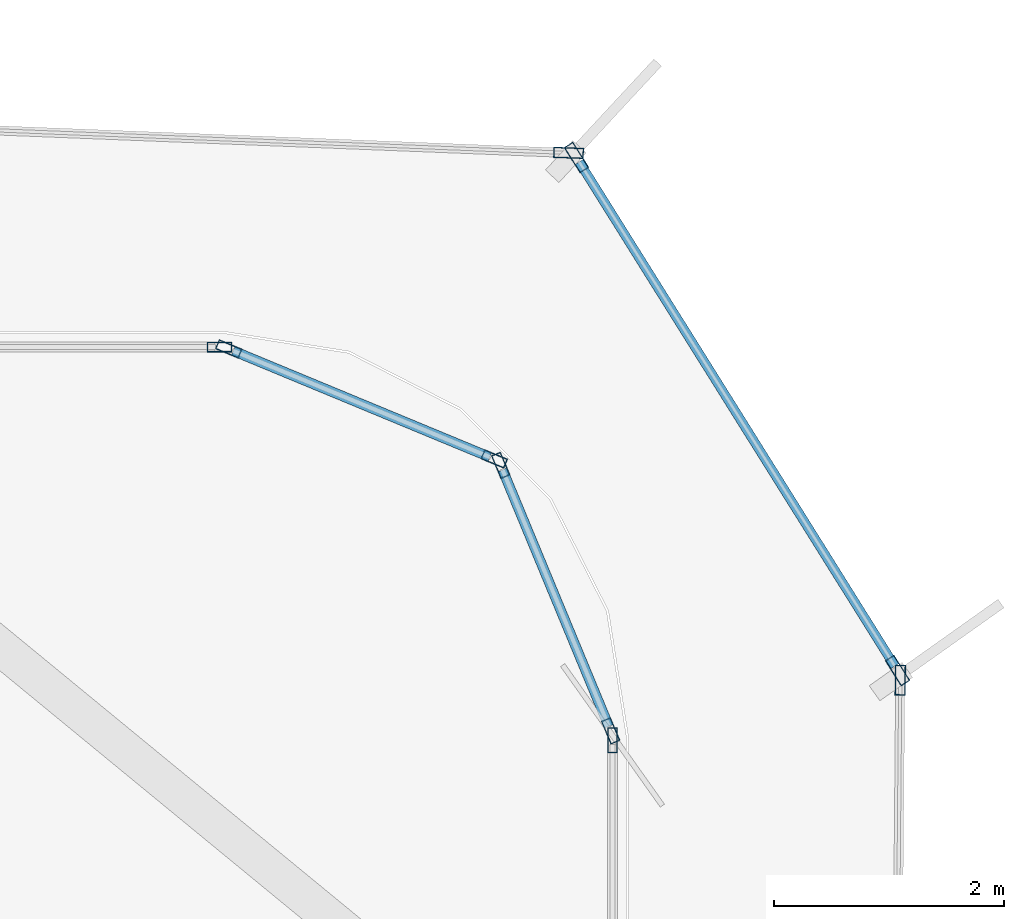
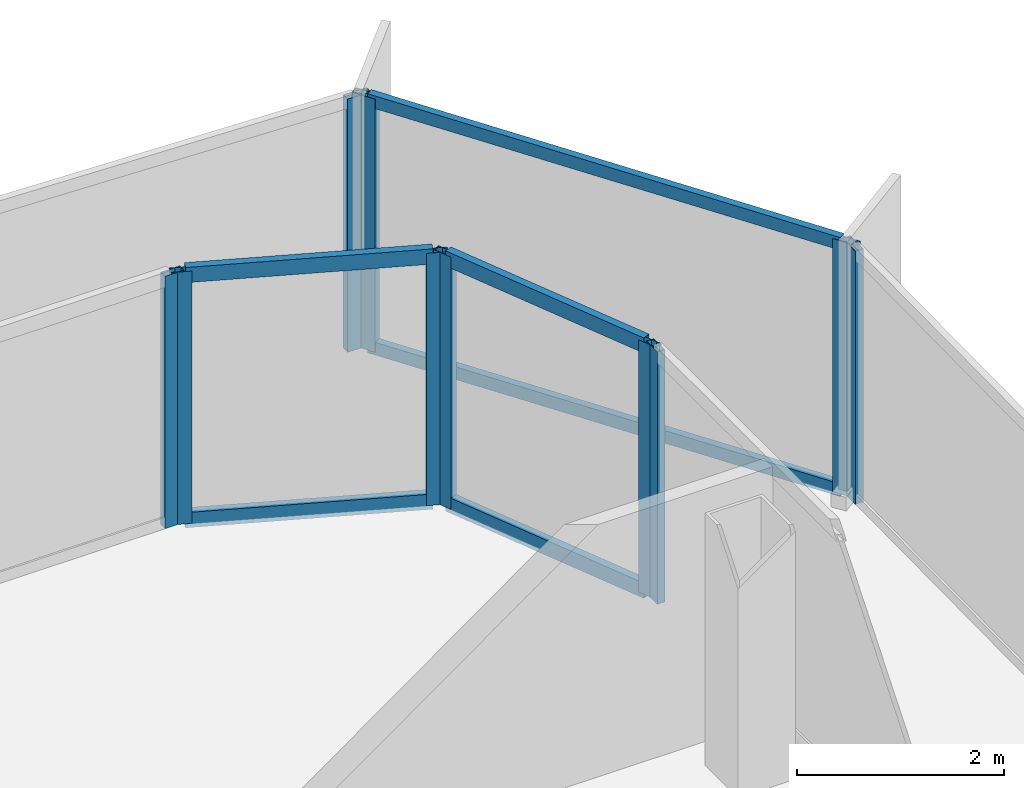
# One storey, part 8 of 15: 16 members, 7 elements without a shape of their own.
"""IFC4 building model written with IfcOpenShell, lengths in metres."""

from ifc_helpers import new_model, si_unit, direction, frame, origin, origin_2d, place, context, subcontext, project, spatial, hollow_rectangle, extrude, source, transform, mapped, material, layer, layer_set, material_profile, profile_set, type_object, element, aggregate, save


model = new_model("IFC4")

# Units and contexts
model_context = context("Model", 3, precision=1e-05, world=origin(), true_north=direction((0.0, 1.0)))
body_context = subcontext(model_context, "Body", "Model", "MODEL_VIEW")
ifc_project = project(units=[si_unit("LENGTHUNIT", "METRE"), si_unit("AREAUNIT", "SQUARE_METRE"), si_unit("VOLUMEUNIT", "CUBIC_METRE"), si_unit("PLANEANGLEUNIT", "RADIAN"), si_unit("MASSUNIT", "GRAM", prefix="KILO")], contexts=[model_context])

# Site, building, storey
site_placement = place(None, origin())
site = spatial("IfcSite", under=ifc_project, at=site_placement, CompositionType="ELEMENT")
building_placement = place(site_placement, origin())
building = spatial("IfcBuilding", under=site, at=building_placement, Name="Kolveth Station Tower", CompositionType="ELEMENT")
storey_placement = place(building_placement, frame((0.0, 0.0, 261.699951171875)))
storey = spatial("IfcBuildingStorey", under=building, at=storey_placement, Name="L75", CompositionType="ELEMENT", Elevation=261.699951171875)

# Curtain wall, member
ifc_material_1 = material(Name="Black anodized aluminium 6063-T6 and dark solar glass", Category="aluminium")
ifc_layer_1 = layer(ifc_material_1, 0.159912109375)
ifc_layer_set_1 = layer_set([ifc_layer_1], Name="Black anodized aluminium 6063-T6 and dark solar glass")
curtain_wall_type_1 = type_object("IfcCurtainWallType", Name="OUTER SKIN CW-OS", PredefinedType="NOTDEFINED", material=ifc_layer_set_1)
curtain_wall_1_placement = place(storey_placement, origin())
curtain_wall_1 = element("IfcCurtainWall", 1, at=curtain_wall_1_placement, inside=storey, type_object=curtain_wall_type_1, Name="L75 Outer Ventilated Skin Curtain Wall 2", PredefinedType="NOTDEFINED")
ifc_material_2 = material(Name="Black anodized aluminium 6063-T6", Category="aluminium")
ifc_material_profile_1 = material_profile(ifc_material_2, hollow_rectangle(XDim=0.090087890625, YDim=0.260009765625, WallThickness=0.0048828125, at=origin_2d()), Name="ALU-90x260x5")
ifc_profile_set_1 = profile_set([ifc_material_profile_1], Name="Black anodized aluminium 6063-T6")
member_type_1 = type_object("IfcMemberType", Name="FIN MULLION ML-OS", PredefinedType="MULLION", material=ifc_profile_set_1)
shared_shape_1 = source(origin(), body_context, "Body", "SweptSolid", [
    extrude(hollow_rectangle(XDim=0.090087890625, YDim=0.260009765625, WallThickness=0.0048828125, at=origin_2d()), origin(), (0.0, 0.0, 1.0), 2.989990234375),
])
member_1_placement = place(storey_placement, frame((44.184814453125, 32.281005859375, 0.0), z_axis=(0.0, 0.0, 1.0), x_axis=(-0.999961467329, 0.008778602226, 0.0)))
member_1 = element("IfcMember", 2, at=member_1_placement, type_object=member_type_1, Name="CW-OS mullion 2", PredefinedType="MULLION", context=body_context, shape_type="MappedRepresentation", body=[
    mapped(shared_shape_1, transform((0.0, 0.0, 0.0), x_axis=(1.0, 0.0, 0.0), y_axis=(0.0, 1.0, 0.0), z_axis=(0.0, 0.0, 1.0), scale=1.0)),
])
aggregate(curtain_wall_1, [member_1])

# Curtain wall, members
curtain_wall_2_placement = place(storey_placement, origin())
curtain_wall_2 = element("IfcCurtainWall", 3, at=curtain_wall_2_placement, inside=storey, type_object=curtain_wall_type_1, Name="L75 Outer Ventilated Skin Curtain Wall 3", PredefinedType="NOTDEFINED")
member_2_placement = place(storey_placement, frame((44.161376953125, 32.3642578125, 0.0), z_axis=(0.0, 0.0, 1.0), x_axis=(-0.847670018172, -0.530523835745, 0.0)))
member_2 = element("IfcMember", 4, at=member_2_placement, type_object=member_type_1, Name="CW-OS mullion 1", PredefinedType="MULLION", context=body_context, shape_type="MappedRepresentation", body=[
    mapped(shared_shape_1, transform((0.0, 0.0, 0.0), x_axis=(1.0, 0.0, 0.0), y_axis=(0.0, 1.0, 0.0), z_axis=(0.0, 0.0, 1.0), scale=1.0)),
])
member_3_placement = place(storey_placement, frame((41.365966796875, 36.83056640625, 0.0), z_axis=(0.0, 0.0, 1.0), x_axis=(-0.847670018172, -0.530523835745, 0.0)))
member_3 = element("IfcMember", 5, at=member_3_placement, type_object=member_type_1, Name="CW-OS mullion 2", PredefinedType="MULLION", context=body_context, shape_type="MappedRepresentation", body=[
    mapped(shared_shape_1, transform((0.0, 0.0, 0.0), x_axis=(1.0, 0.0, 0.0), y_axis=(0.0, 1.0, 0.0), z_axis=(0.0, 0.0, 1.0), scale=1.0)),
])

# Curtain wall, member
curtain_wall_3_placement = place(storey_placement, origin())
curtain_wall_3 = element("IfcCurtainWall", 6, at=curtain_wall_3_placement, inside=storey, type_object=curtain_wall_type_1, Name="L75 Outer Ventilated Skin Curtain Wall 4", PredefinedType="NOTDEFINED")
member_4_placement = place(storey_placement, frame((41.297119140625, 36.87060546875, 0.0), z_axis=(0.0, 0.0, 1.0), x_axis=(-0.039408178109, -0.999223196037, 0.0)))
member_4 = element("IfcMember", 7, at=member_4_placement, type_object=member_type_1, Name="CW-OS mullion 1", PredefinedType="MULLION", context=body_context, shape_type="MappedRepresentation", body=[
    mapped(shared_shape_1, transform((0.0, 0.0, 0.0), x_axis=(1.0, 0.0, 0.0), y_axis=(0.0, 1.0, 0.0), z_axis=(0.0, 0.0, 1.0), scale=1.0)),
])
aggregate(curtain_wall_3, [member_4])

ifc_material_3 = material(Name="Aluminium 6063-T6 and triple low-E dark glass", Category="aluminium")
ifc_layer_2 = layer(ifc_material_3, 0.199951171875)
ifc_layer_set_2 = layer_set([ifc_layer_2], Name="Aluminium 6063-T6 and triple low-E dark glass")
curtain_wall_type_2 = type_object("IfcCurtainWallType", Name="CurtainWall_CW-Z3", PredefinedType="NOTDEFINED", material=ifc_layer_set_2)
curtain_wall_4_placement = place(storey_placement, origin())
curtain_wall_4 = element("IfcCurtainWall", 8, at=curtain_wall_4_placement, inside=storey, type_object=curtain_wall_type_2, Name="L75 Inner Thermal Curtain Wall 3", PredefinedType="NOTDEFINED")
ifc_material_profile_2 = material_profile(ifc_material_2, hollow_rectangle(XDim=0.0849609375, YDim=0.215087890625, WallThickness=0.0048828125, at=origin_2d()), Name="ALU-85x215x5")
ifc_profile_set_2 = profile_set([ifc_material_profile_2], Name="Black anodized aluminium 6063-T6")
member_type_2 = type_object("IfcMemberType", Name="Mullion_ML3", PredefinedType="MULLION", material=ifc_profile_set_2)
shared_shape_2 = source(origin(), body_context, "Body", "SweptSolid", [
    extrude(hollow_rectangle(XDim=0.0849609375, YDim=0.215087890625, WallThickness=0.0048828125, at=origin_2d()), origin(), (0.0, 0.0, 1.0), 2.97998046875),
])
member_5_placement = place(storey_placement, frame((41.679931640625, 31.757568359375, 0.0), z_axis=(0.0, 0.0, 1.0), x_axis=(-1.0, 0.0, 0.0)))
member_5 = element("IfcMember", 9, at=member_5_placement, type_object=member_type_2, Name="CW-Z3 mullion 2", PredefinedType="MULLION", context=body_context, shape_type="MappedRepresentation", body=[
    mapped(shared_shape_2, transform((0.0, 0.0, 0.0), x_axis=(1.0, 0.0, 0.0), y_axis=(0.0, 1.0, 0.0), z_axis=(0.0, 0.0, 1.0), scale=1.0)),
])
aggregate(curtain_wall_4, [member_5])

# Curtain wall, members
curtain_wall_5_placement = place(storey_placement, origin())
curtain_wall_5 = element("IfcCurtainWall", 10, at=curtain_wall_5_placement, inside=storey, type_object=curtain_wall_type_2, Name="L75 Inner Thermal Curtain Wall 4", PredefinedType="NOTDEFINED")
member_6_placement = place(storey_placement, frame((41.663818359375, 31.83935546875, 0.0), z_axis=(0.0, 0.0, 1.0), x_axis=(-0.923875488975, -0.382693194181, 0.0)))
member_6 = element("IfcMember", 11, at=member_6_placement, type_object=member_type_2, Name="CW-Z3 mullion 1", PredefinedType="MULLION", context=body_context, shape_type="MappedRepresentation", body=[
    mapped(shared_shape_2, transform((0.0, 0.0, 0.0), x_axis=(1.0, 0.0, 0.0), y_axis=(0.0, 1.0, 0.0), z_axis=(0.0, 0.0, 1.0), scale=1.0)),
])
member_7_placement = place(storey_placement, frame((40.706298828125, 34.150634765625, 0.0), z_axis=(0.0, 0.0, 1.0), x_axis=(-0.923875488975, -0.382693194181, 0.0)))
member_7 = element("IfcMember", 12, at=member_7_placement, type_object=member_type_2, Name="CW-Z3 mullion 2", PredefinedType="MULLION", context=body_context, shape_type="MappedRepresentation", body=[
    mapped(shared_shape_2, transform((0.0, 0.0, 0.0), x_axis=(1.0, 0.0, 0.0), y_axis=(0.0, 1.0, 0.0), z_axis=(0.0, 0.0, 1.0), scale=1.0)),
])

curtain_wall_6_placement = place(storey_placement, origin())
curtain_wall_6 = element("IfcCurtainWall", 13, at=curtain_wall_6_placement, inside=storey, type_object=curtain_wall_type_2, Name="L75 Inner Thermal Curtain Wall 5", PredefinedType="NOTDEFINED")
member_8_placement = place(storey_placement, frame((40.650634765625, 34.206298828125, 0.0), z_axis=(0.0, 0.0, 1.0), x_axis=(-0.382693194181, -0.923875488975, 0.0)))
member_8 = element("IfcMember", 14, at=member_8_placement, type_object=member_type_2, Name="CW-Z3 mullion 1", PredefinedType="MULLION", context=body_context, shape_type="MappedRepresentation", body=[
    mapped(shared_shape_2, transform((0.0, 0.0, 0.0), x_axis=(1.0, 0.0, 0.0), y_axis=(0.0, 1.0, 0.0), z_axis=(0.0, 0.0, 1.0), scale=1.0)),
])
member_9_placement = place(storey_placement, frame((38.33935546875, 35.163818359375, 0.0), z_axis=(0.0, 0.0, 1.0), x_axis=(-0.382693194181, -0.923875488975, 0.0)))
member_9 = element("IfcMember", 15, at=member_9_placement, type_object=member_type_2, Name="CW-Z3 mullion 2", PredefinedType="MULLION", context=body_context, shape_type="MappedRepresentation", body=[
    mapped(shared_shape_2, transform((0.0, 0.0, 0.0), x_axis=(1.0, 0.0, 0.0), y_axis=(0.0, 1.0, 0.0), z_axis=(0.0, 0.0, 1.0), scale=1.0)),
])

# Curtain wall, member
curtain_wall_7_placement = place(storey_placement, origin())
curtain_wall_7 = element("IfcCurtainWall", 16, at=curtain_wall_7_placement, inside=storey, type_object=curtain_wall_type_2, Name="L75 Inner Thermal Curtain Wall 6", PredefinedType="NOTDEFINED")
member_10_placement = place(storey_placement, frame((38.257568359375, 35.179931640625, 0.0), z_axis=(0.0, 0.0, 1.0), x_axis=(0.0, -1.0, 0.0)))
member_10 = element("IfcMember", 17, at=member_10_placement, type_object=member_type_2, Name="CW-Z3 mullion 1", PredefinedType="MULLION", context=body_context, shape_type="MappedRepresentation", body=[
    mapped(shared_shape_2, transform((0.0, 0.0, 0.0), x_axis=(1.0, 0.0, 0.0), y_axis=(0.0, 1.0, 0.0), z_axis=(0.0, 0.0, 1.0), scale=1.0)),
])
aggregate(curtain_wall_7, [member_10])

# Member
ifc_material_profile_3 = material_profile(ifc_material_2, hollow_rectangle(XDim=0.0849609375, YDim=0.179931640625, WallThickness=0.0048828125, at=origin_2d()), Name="ALU-85x180x5")
ifc_profile_set_3 = profile_set([ifc_material_profile_3], Name="Black anodized aluminium 6063-T6")
member_type_3 = type_object("IfcMemberType", Name="Transom_TR3", PredefinedType="USERDEFINED", material=ifc_profile_set_3)
shared_shape_3 = source(origin(), body_context, "Body", "SweptSolid", [
    extrude(hollow_rectangle(XDim=0.0849609375, YDim=0.179931640625, WallThickness=0.0048828125, at=origin_2d()), origin(), (0.0, 0.0, 1.0), 2.417236328125),
])
member_11_placement = place(storey_placement, frame((41.6474609375, 31.87841796875, 0.04248046875), z_axis=(-0.382699687013, 0.923872799448, 0.0), x_axis=(-0.923872799448, -0.382699687013, 0.0)))
member_11 = element("IfcMember", 18, at=member_11_placement, type_object=member_type_3, Name="CW-Z3 transom 1.1", ObjectType="TRANSOM", PredefinedType="USERDEFINED", context=body_context, shape_type="MappedRepresentation", body=[
    mapped(shared_shape_3, transform((0.0, 0.0, 0.0), x_axis=(1.0, 0.0, 0.0), y_axis=(0.0, 1.0, 0.0), z_axis=(0.0, 0.0, 1.0), scale=1.0)),
])

member_12_placement = place(storey_placement, frame((41.6474609375, 31.87841796875, 2.9375), z_axis=(-0.382699687013, 0.923872799448, 0.0), x_axis=(-0.923872799448, -0.382699687013, 0.0)))
member_12 = element("IfcMember", 19, at=member_12_placement, type_object=member_type_3, Name="CW-Z3 transom 1.2", ObjectType="TRANSOM", PredefinedType="USERDEFINED", context=body_context, shape_type="MappedRepresentation", body=[
    mapped(shared_shape_3, transform((0.0, 0.0, 0.0), x_axis=(1.0, 0.0, 0.0), y_axis=(0.0, 1.0, 0.0), z_axis=(0.0, 0.0, 1.0), scale=1.0)),
])

aggregate(curtain_wall_5, [member_6, member_7, member_11, member_12])

member_13_placement = place(storey_placement, frame((40.611572265625, 34.222412109375, 0.04248046875), z_axis=(-0.923872799448, 0.382699687013, 0.0), x_axis=(-0.382699687013, -0.923872799448, 0.0)))
member_13 = element("IfcMember", 20, at=member_13_placement, type_object=member_type_3, Name="CW-Z3 transom 1.1", ObjectType="TRANSOM", PredefinedType="USERDEFINED", context=body_context, shape_type="MappedRepresentation", body=[
    mapped(shared_shape_3, transform((0.0, 0.0, 0.0), x_axis=(1.0, 0.0, 0.0), y_axis=(0.0, 1.0, 0.0), z_axis=(0.0, 0.0, 1.0), scale=1.0)),
])

member_14_placement = place(storey_placement, frame((40.611572265625, 34.222412109375, 2.9375), z_axis=(-0.923872799448, 0.382699687013, 0.0), x_axis=(-0.382699687013, -0.923872799448, 0.0)))
member_14 = element("IfcMember", 21, at=member_14_placement, type_object=member_type_3, Name="CW-Z3 transom 1.2", ObjectType="TRANSOM", PredefinedType="USERDEFINED", context=body_context, shape_type="MappedRepresentation", body=[
    mapped(shared_shape_3, transform((0.0, 0.0, 0.0), x_axis=(1.0, 0.0, 0.0), y_axis=(0.0, 1.0, 0.0), z_axis=(0.0, 0.0, 1.0), scale=1.0)),
])

aggregate(curtain_wall_6, [member_8, member_9, member_13, member_14])

ifc_material_profile_4 = material_profile(ifc_material_2, hollow_rectangle(XDim=0.080078125, YDim=0.14990234375, WallThickness=0.0048828125, at=origin_2d()), Name="ALU-80x150x5")
ifc_profile_set_4 = profile_set([ifc_material_profile_4], Name="Black anodized aluminium 6063-T6")
member_type_4 = type_object("IfcMemberType", Name="Transom_TR-OS", PredefinedType="USERDEFINED", material=ifc_profile_set_4)
shared_shape_4 = source(origin(), body_context, "Body", "SweptSolid", [
    extrude(hollow_rectangle(XDim=0.080078125, YDim=0.14990234375, WallThickness=0.0048828125, at=origin_2d()), origin(), (0.0, 0.0, 1.0), 5.178955078125),
])
member_15_placement = place(storey_placement, frame((44.137451171875, 32.40234375, 0.0400390625), z_axis=(-0.53051579471, 0.847675050691, 0.0), x_axis=(-0.847675050691, -0.53051579471, 0.0)))
member_15 = element("IfcMember", 22, at=member_15_placement, type_object=member_type_4, Name="CW-OS transom 1.1", ObjectType="TRANSOM", PredefinedType="USERDEFINED", context=body_context, shape_type="MappedRepresentation", body=[
    mapped(shared_shape_4, transform((0.0, 0.0, 0.0), x_axis=(1.0, 0.0, 0.0), y_axis=(0.0, 1.0, 0.0), z_axis=(0.0, 0.0, 1.0), scale=1.0)),
])

member_16_placement = place(storey_placement, frame((44.137451171875, 32.40234375, 2.949951171875), z_axis=(-0.53051579471, 0.847675050691, 0.0), x_axis=(-0.847675050691, -0.53051579471, 0.0)))
member_16 = element("IfcMember", 23, at=member_16_placement, type_object=member_type_4, Name="CW-OS transom 1.2", ObjectType="TRANSOM", PredefinedType="USERDEFINED", context=body_context, shape_type="MappedRepresentation", body=[
    mapped(shared_shape_4, transform((0.0, 0.0, 0.0), x_axis=(1.0, 0.0, 0.0), y_axis=(0.0, 1.0, 0.0), z_axis=(0.0, 0.0, 1.0), scale=1.0)),
])

aggregate(curtain_wall_2, [member_2, member_3, member_15, member_16])

save(model, "model.ifc")
